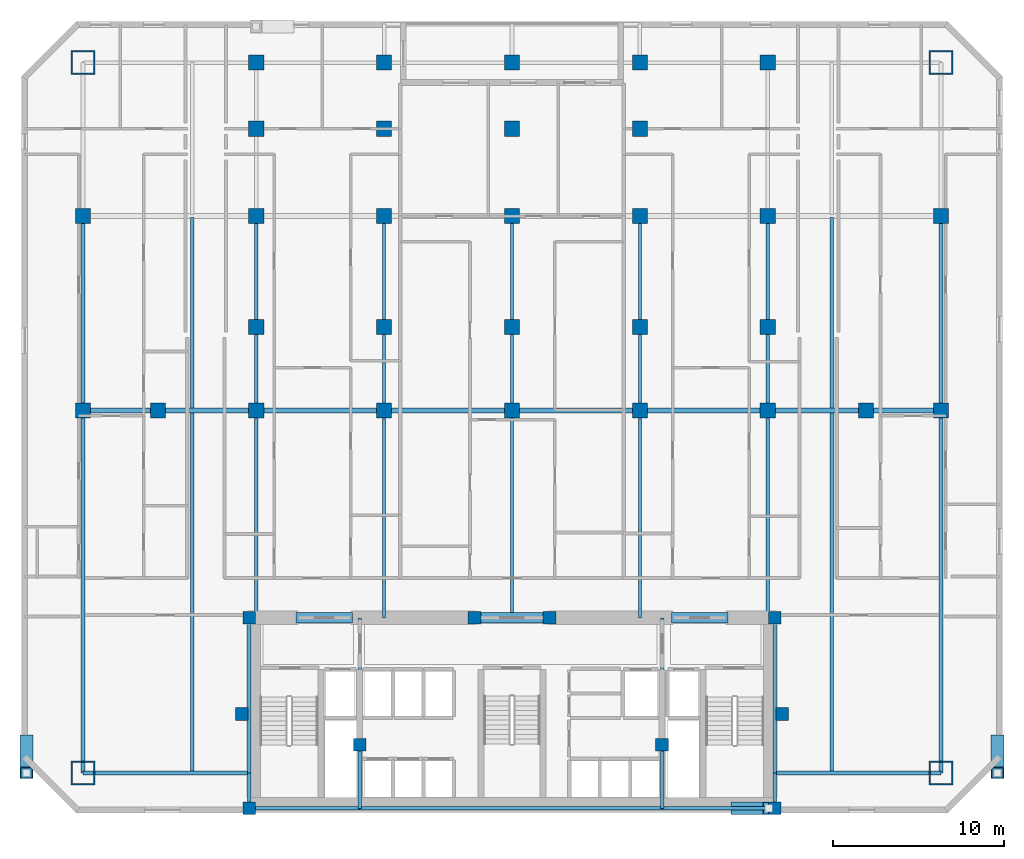
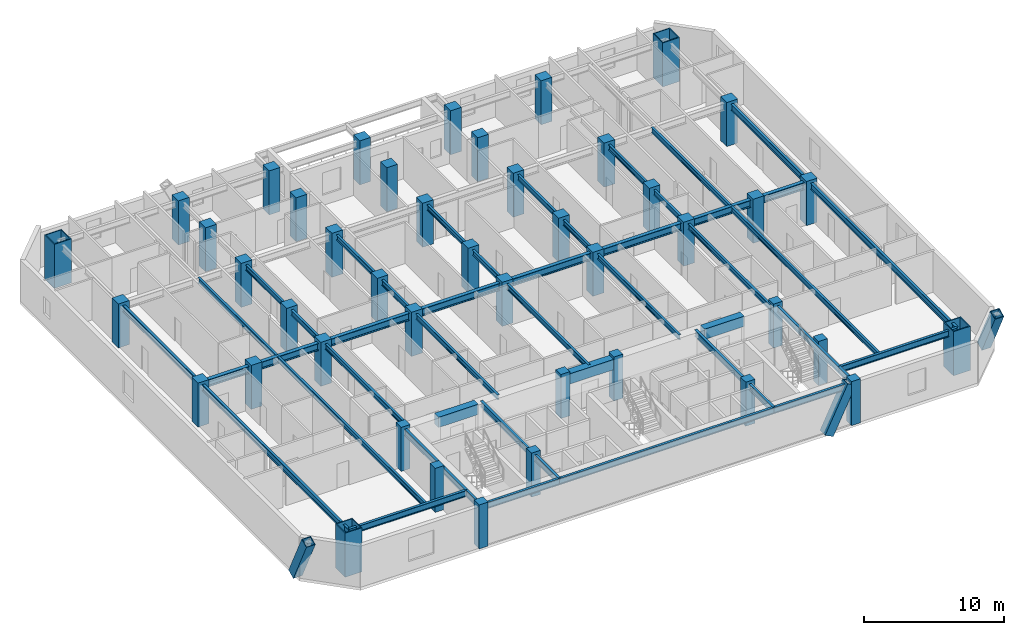
# One storey, part 1 of 10: 44 columns, 42 beams, 3 members.
"""IFC4 building model written with IfcOpenShell, lengths in metres."""

from ifc_helpers import new_model, si_unit, direction, frame, origin, origin_2d, place, context, subcontext, project, spatial, rectangle, hollow_rectangle, i_section, extrude, material, material_profile, profile_set, type_object, element, save


model = new_model("IFC4")

# Units and contexts
model_context = context("Model", 3, precision=1e-05, world=origin(), true_north=direction((0.0, 1.0)))
body_context = subcontext(model_context, "Body", "Model", "MODEL_VIEW")
ifc_project = project(units=[si_unit("LENGTHUNIT", "METRE"), si_unit("AREAUNIT", "SQUARE_METRE"), si_unit("VOLUMEUNIT", "CUBIC_METRE"), si_unit("PLANEANGLEUNIT", "RADIAN"), si_unit("MASSUNIT", "GRAM", prefix="KILO")], contexts=[model_context])

# Site, building, storey
site_placement = place(None, origin())
site = spatial("IfcSite", under=ifc_project, at=site_placement, CompositionType="ELEMENT")
building_placement = place(site_placement, origin())
building = spatial("IfcBuilding", under=site, at=building_placement, Name="Ventersveld Concourse Tower", CompositionType="ELEMENT")
storey_placement = place(building_placement, frame((0.0, 0.0, 56.75)))
storey = spatial("IfcBuildingStorey", under=building, at=storey_placement, Name="L13", CompositionType="ELEMENT", Elevation=56.75)

# Columns
ifc_material_1 = material(Name="Concrete C50/60", Category="concrete")
ifc_material_profile_1 = material_profile(ifc_material_1, rectangle(XDim=0.75, YDim=0.75, at=origin_2d()), Name="RC 750x750")
ifc_profile_set_1 = profile_set([ifc_material_profile_1], Name="Concrete C50/60")
column_type_1 = type_object("IfcColumnType", Name="COL-RC750", PredefinedType="COLUMN", material=ifc_profile_set_1)
for number, where, z_axis, x_axis, name in (
    (1, (13.35009765625, 0.280029296875, 0.0), (0.0, 0.0, 1.0), (1.0, 0.0, 0.0), "L13 Core Spine Column CC-SW"),
    (2, (44.14990234375, 0.280029296875, 0.0), (0.0, 0.0, 1.0), (1.0, 0.0, 0.0), "L13 Core Spine Column CC-SE"),
    (3, (13.35009765625, 11.449951171875, 0.0), (0.0, 0.0, 1.0), (1.0, 0.0, 0.0), "L13 Core Spine Column CC-NW"),
    (4, (44.14990234375, 11.449951171875, 0.0), (0.0, 0.0, 1.0), (1.0, 0.0, 0.0), "L13 Core Spine Column CC-NE"),
    (5, (19.820068359375, 4.0, 0.0), (0.0, 0.0, 1.0), (1.0, 0.0, 0.0), "L13 Core Spine Column CM-1"),
    (6, (37.550048828125, 4.0, 0.0), (0.0, 0.0, 1.0), (1.0, 0.0, 0.0), "L13 Core Spine Column CM-2"),
    (7, (26.550048828125, 11.449951171875, 0.0), (0.0, 0.0, 1.0), (1.0, 0.0, 0.0), "L13 Core Spine Column CM-3"),
    (8, (30.949951171875, 11.449951171875, 0.0), (0.0, 0.0, 1.0), (1.0, 0.0, 0.0), "L13 Core Spine Column CM-4"),
):
    element("IfcColumn", number, at=place(storey_placement, frame(where, z_axis=z_axis, x_axis=x_axis)), inside=storey, type_object=column_type_1, Name=name, PredefinedType="COLUMN", context=body_context, shape_type="SweptSolid", body=[
        extrude(rectangle(XDim=0.75, YDim=0.75, at=origin_2d()), origin(), (0.0, 0.0, 1.0), 3.85009765625),
    ])
ifc_material_2 = material(Name="Concrete C60/75", Category="concrete")
ifc_material_profile_2 = material_profile(ifc_material_2, rectangle(XDim=0.89990234375, YDim=0.89990234375, at=origin_2d()), Name="RC 900x900")
ifc_profile_set_2 = profile_set([ifc_material_profile_2], Name="Concrete C60/75")
column_type_2 = type_object("IfcColumnType", Name="COL-RC900", PredefinedType="COLUMN", material=ifc_profile_set_2)
for number, where, z_axis, x_axis, name in (
    (9, (3.60009765625, 23.60009765625, 0.0), (0.0, 0.0, 1.0), (1.0, 0.0, 0.0), "L13 Interior Gravity Column X=3.60 Y=23.60"),
    (10, (8.0, 23.60009765625, 0.0), (0.0, 0.0, 1.0), (1.0, 0.0, 0.0), "L13 Interior Gravity Column X=8.00 Y=23.60"),
    (11, (13.75, 23.60009765625, 0.0), (0.0, 0.0, 1.0), (1.0, 0.0, 0.0), "L13 Interior Gravity Column X=13.75 Y=23.60"),
    (12, (21.25, 23.60009765625, 0.0), (0.0, 0.0, 1.0), (1.0, 0.0, 0.0), "L13 Interior Gravity Column X=21.25 Y=23.60"),
    (13, (28.75, 23.60009765625, 0.0), (0.0, 0.0, 1.0), (1.0, 0.0, 0.0), "L13 Interior Gravity Column X=28.75 Y=23.60"),
    (14, (36.25, 23.60009765625, 0.0), (0.0, 0.0, 1.0), (1.0, 0.0, 0.0), "L13 Interior Gravity Column X=36.25 Y=23.60"),
    (15, (43.75, 23.60009765625, 0.0), (0.0, 0.0, 1.0), (1.0, 0.0, 0.0), "L13 Interior Gravity Column X=43.75 Y=23.60"),
    (16, (49.5, 23.60009765625, 0.0), (0.0, 0.0, 1.0), (1.0, 0.0, 0.0), "L13 Interior Gravity Column X=49.50 Y=23.60"),
    (17, (53.89990234375, 23.60009765625, 0.0), (0.0, 0.0, 1.0), (1.0, 0.0, 0.0), "L13 Interior Gravity Column X=53.90 Y=23.60"),
    (18, (13.75, 28.5, 0.0), (0.0, 0.0, 1.0), (1.0, 0.0, 0.0), "L13 Upper-North Gravity Column X=13.75 Y=28.50"),
    (19, (21.25, 28.5, 0.0), (0.0, 0.0, 1.0), (1.0, 0.0, 0.0), "L13 Upper-North Gravity Column X=21.25 Y=28.50"),
    (20, (28.75, 28.5, 0.0), (0.0, 0.0, 1.0), (1.0, 0.0, 0.0), "L13 Upper-North Gravity Column X=28.75 Y=28.50"),
    (21, (36.25, 28.5, 0.0), (0.0, 0.0, 1.0), (1.0, 0.0, 0.0), "L13 Upper-North Gravity Column X=36.25 Y=28.50"),
    (22, (43.75, 28.5, 0.0), (0.0, 0.0, 1.0), (1.0, 0.0, 0.0), "L13 Upper-North Gravity Column X=43.75 Y=28.50"),
    (23, (3.60009765625, 35.0, 0.0), (0.0, 0.0, 1.0), (1.0, 0.0, 0.0), "L13 Flank Column X=3.60 Y=35.00"),
    (24, (53.89990234375, 35.0, 0.0), (0.0, 0.0, 1.0), (1.0, 0.0, 0.0), "L13 Flank Column X=53.90 Y=35.00"),
    (25, (13.75, 44.0, 0.0), (0.0, 0.0, 1.0), (1.0, 0.0, 0.0), "L13 North Perimeter Column X=13.75 Y=44.00"),
    (26, (21.25, 44.0, 0.0), (0.0, 0.0, 1.0), (1.0, 0.0, 0.0), "L13 North Perimeter Column X=21.25 Y=44.00"),
    (27, (28.75, 44.0, 0.0), (0.0, 0.0, 1.0), (1.0, 0.0, 0.0), "L13 North Perimeter Column X=28.75 Y=44.00"),
    (28, (36.25, 44.0, 0.0), (0.0, 0.0, 1.0), (1.0, 0.0, 0.0), "L13 North Perimeter Column X=36.25 Y=44.00"),
    (29, (43.75, 44.0, 0.0), (0.0, 0.0, 1.0), (1.0, 0.0, 0.0), "L13 North Perimeter Column X=43.75 Y=44.00"),
    (30, (13.75, 40.1201171875, 0.0), (0.0, 0.0, 1.0), (1.0, 0.0, 0.0), "L13 North Brace Node Column X=13.75 Y=40.12"),
    (31, (21.25, 40.1201171875, 0.0), (0.0, 0.0, 1.0), (1.0, 0.0, 0.0), "L13 North Brace Node Column X=21.25 Y=40.12"),
    (32, (28.75, 40.1201171875, 0.0), (0.0, 0.0, 1.0), (1.0, 0.0, 0.0), "L13 North Brace Node Column X=28.75 Y=40.12"),
    (33, (36.25, 40.1201171875, 0.0), (0.0, 0.0, 1.0), (1.0, 0.0, 0.0), "L13 North Brace Node Column X=36.25 Y=40.12"),
    (34, (13.75, 35.0, 0.0), (0.0, 0.0, 1.0), (1.0, 0.0, 0.0), "L13 Mid-North Column X=13.75 Y=35.00"),
    (35, (21.25, 35.0, 0.0), (0.0, 0.0, 1.0), (1.0, 0.0, 0.0), "L13 Mid-North Column X=21.25 Y=35.00"),
    (36, (28.75, 35.0, 0.0), (0.0, 0.0, 1.0), (1.0, 0.0, 0.0), "L13 Mid-North Column X=28.75 Y=35.00"),
    (37, (36.25, 35.0, 0.0), (0.0, 0.0, 1.0), (1.0, 0.0, 0.0), "L13 Mid-North Column X=36.25 Y=35.00"),
    (38, (43.75, 35.0, 0.0), (0.0, 0.0, 1.0), (1.0, 0.0, 0.0), "L13 Mid-North Column X=43.75 Y=35.00"),
):
    element("IfcColumn", number, at=place(storey_placement, frame(where, z_axis=z_axis, x_axis=x_axis)), inside=storey, type_object=column_type_2, Name=name, PredefinedType="COLUMN", context=body_context, shape_type="SweptSolid", body=[
        extrude(rectangle(XDim=0.89990234375, YDim=0.89990234375, at=origin_2d()), origin(), (0.0, 0.0, 1.0), 3.85009765625),
    ])
ifc_material_3 = material(Name="Structural steel S460ML", Category="steel")
ifc_material_profile_3 = material_profile(ifc_material_3, hollow_rectangle(XDim=1.39990234375, YDim=1.39990234375, WallThickness=0.080078125, at=origin_2d()), Name="BOX 1400x1400x80")
ifc_profile_set_3 = profile_set([ifc_material_profile_3], Name="Structural steel S460ML")
column_type_3 = type_object("IfcColumnType", Name="MC-1400", PredefinedType="USERDEFINED", material=ifc_profile_set_3)
for number, where, z_axis, x_axis, name in (
    (39, (3.60009765625, 2.35009765625, 0.0), (0.0, 0.0, 1.0), (1.0, 0.0, 0.0), "L13 Corner Mega-Column MC-SW"),
    (40, (53.89990234375, 2.35009765625, 0.0), (0.0, 0.0, 1.0), (1.0, 0.0, 0.0), "L13 Corner Mega-Column MC-SE"),
    (41, (53.89990234375, 44.0, 0.0), (0.0, 0.0, 1.0), (1.0, 0.0, 0.0), "L13 Corner Mega-Column MC-NE"),
    (42, (3.60009765625, 44.0, 0.0), (0.0, 0.0, 1.0), (1.0, 0.0, 0.0), "L13 Corner Mega-Column MC-NW"),
):
    element("IfcColumn", number, at=place(storey_placement, frame(where, z_axis=z_axis, x_axis=x_axis)), inside=storey, type_object=column_type_3, Name=name, ObjectType="MEGA_COLUMN", PredefinedType="USERDEFINED", context=body_context, shape_type="SweptSolid", body=[
        extrude(hollow_rectangle(XDim=1.39990234375, YDim=1.39990234375, WallThickness=0.080078125, at=origin_2d()), origin(), (0.0, 0.0, 1.0), 3.85009765625),
    ])
ifc_material_profile_4 = material_profile(ifc_material_1, rectangle(XDim=0.75, YDim=0.75, at=origin_2d()), Name="RC 750x750")
ifc_profile_set_4 = profile_set([ifc_material_profile_4], Name="Concrete C50/60")
column_type_4 = type_object("IfcColumnType", Name="PIL-RC750", PredefinedType="PILASTER", material=ifc_profile_set_4)
for number, where, z_axis, x_axis, name in (
    (43, (12.89990234375, 5.800048828125, 0.0), (0.0, 0.0, 1.0), (1.0, 0.0, 0.0), "L13 Core Engaged Pilaster PIL-W"),
    (44, (44.60009765625, 5.800048828125, 0.0), (0.0, 0.0, 1.0), (1.0, 0.0, 0.0), "L13 Core Engaged Pilaster PIL-E"),
):
    element("IfcColumn", number, at=place(storey_placement, frame(where, z_axis=z_axis, x_axis=x_axis)), inside=storey, type_object=column_type_4, Name=name, PredefinedType="PILASTER", context=body_context, shape_type="SweptSolid", body=[
        extrude(rectangle(XDim=0.75, YDim=0.75, at=origin_2d()), origin(), (0.0, 0.0, 1.0), 3.85009765625),
    ])

# Beams
ifc_material_4 = material(Name="Structural steel S355J2", Category="steel")
ifc_material_profile_5 = material_profile(ifc_material_4, i_section(OverallWidth=0.19140625, OverallDepth=0.4599609375, WebThickness=0.010009765625, FlangeThickness=0.01611328125, FilletRadius=0.01025390625, at=origin_2d()), Name="UB 457x191x82")
ifc_profile_set_5 = profile_set([ifc_material_profile_5], Name="Structural steel S355J2")
beam_type_1 = type_object("IfcBeamType", Name="BM-UB457H", PredefinedType="BEAM", material=ifc_profile_set_5)
beam_1_placement = place(storey_placement, frame((10.0, 2.35009765625, 3.3701171875), z_axis=(0.0, 1.0, 0.0), x_axis=(-1.0, 0.0, 0.0)))
element("IfcBeam", 45, at=beam_1_placement, inside=storey, type_object=beam_type_1, Name="L13 N-S Composite Floor Beam South X=10.00", PredefinedType="BEAM", context=body_context, shape_type="SweptSolid", body=[
    extrude(i_section(OverallWidth=0.19140625, OverallDepth=0.4599609375, WebThickness=0.010009765625, FlangeThickness=0.01611328125, FilletRadius=0.01025390625, at=origin_2d()), origin(), (0.0, 0.0, 1.0), 21.15478515625),
])
beam_2_placement = place(storey_placement, frame((10.0, 23.695068359375, 3.3701171875), z_axis=(0.0, 1.0, 0.0), x_axis=(-1.0, 0.0, 0.0)))
element("IfcBeam", 46, at=beam_2_placement, inside=storey, type_object=beam_type_1, Name="L13 N-S Composite Floor Beam Mid X=10.00", PredefinedType="BEAM", context=body_context, shape_type="SweptSolid", body=[
    extrude(i_section(OverallWidth=0.19140625, OverallDepth=0.4599609375, WebThickness=0.010009765625, FlangeThickness=0.01611328125, FilletRadius=0.01025390625, at=origin_2d()), origin(), (0.0, 0.0, 1.0), 11.2099609375),
])
beam_3_placement = place(storey_placement, frame((13.75, 11.449951171875, 3.3701171875), z_axis=(0.0, 1.0, 0.0), x_axis=(-1.0, 0.0, 0.0)))
element("IfcBeam", 47, at=beam_3_placement, inside=storey, type_object=beam_type_1, Name="L13 N-S Composite Floor Beam South X=13.75", PredefinedType="BEAM", context=body_context, shape_type="SweptSolid", body=[
    extrude(i_section(OverallWidth=0.19140625, OverallDepth=0.4599609375, WebThickness=0.010009765625, FlangeThickness=0.01611328125, FilletRadius=0.01025390625, at=origin_2d()), origin(), (0.0, 0.0, 1.0), 12.150146484375),
])
beam_4_placement = place(storey_placement, frame((13.75, 23.60009765625, 3.3701171875), z_axis=(0.0, 1.0, 0.0), x_axis=(-1.0, 0.0, 0.0)))
element("IfcBeam", 48, at=beam_4_placement, inside=storey, type_object=beam_type_1, Name="L13 N-S Composite Floor Beam Mid X=13.75", PredefinedType="BEAM", context=body_context, shape_type="SweptSolid", body=[
    extrude(i_section(OverallWidth=0.19140625, OverallDepth=0.4599609375, WebThickness=0.010009765625, FlangeThickness=0.01611328125, FilletRadius=0.01025390625, at=origin_2d()), origin(), (0.0, 0.0, 1.0), 11.39990234375),
])
beam_5_placement = place(storey_placement, frame((21.25, 11.449951171875, 3.3701171875), z_axis=(0.0, 1.0, 0.0), x_axis=(-1.0, 0.0, 0.0)))
element("IfcBeam", 49, at=beam_5_placement, inside=storey, type_object=beam_type_1, Name="L13 N-S Composite Floor Beam South X=21.25", PredefinedType="BEAM", context=body_context, shape_type="SweptSolid", body=[
    extrude(i_section(OverallWidth=0.19140625, OverallDepth=0.4599609375, WebThickness=0.010009765625, FlangeThickness=0.01611328125, FilletRadius=0.01025390625, at=origin_2d()), origin(), (0.0, 0.0, 1.0), 12.150146484375),
])
beam_6_placement = place(storey_placement, frame((21.25, 23.60009765625, 3.3701171875), z_axis=(0.0, 1.0, 0.0), x_axis=(-1.0, 0.0, 0.0)))
element("IfcBeam", 50, at=beam_6_placement, inside=storey, type_object=beam_type_1, Name="L13 N-S Composite Floor Beam Mid X=21.25", PredefinedType="BEAM", context=body_context, shape_type="SweptSolid", body=[
    extrude(i_section(OverallWidth=0.19140625, OverallDepth=0.4599609375, WebThickness=0.010009765625, FlangeThickness=0.01611328125, FilletRadius=0.01025390625, at=origin_2d()), origin(), (0.0, 0.0, 1.0), 11.39990234375),
])
beam_7_placement = place(storey_placement, frame((28.75, 11.449951171875, 3.3701171875), z_axis=(0.0, 1.0, 0.0), x_axis=(-1.0, 0.0, 0.0)))
element("IfcBeam", 51, at=beam_7_placement, inside=storey, type_object=beam_type_1, Name="L13 N-S Composite Floor Beam South X=28.75", PredefinedType="BEAM", context=body_context, shape_type="SweptSolid", body=[
    extrude(i_section(OverallWidth=0.19140625, OverallDepth=0.4599609375, WebThickness=0.010009765625, FlangeThickness=0.01611328125, FilletRadius=0.01025390625, at=origin_2d()), origin(), (0.0, 0.0, 1.0), 12.150146484375),
])
beam_8_placement = place(storey_placement, frame((28.75, 23.60009765625, 3.3701171875), z_axis=(0.0, 1.0, 0.0), x_axis=(-1.0, 0.0, 0.0)))
element("IfcBeam", 52, at=beam_8_placement, inside=storey, type_object=beam_type_1, Name="L13 N-S Composite Floor Beam Mid X=28.75", PredefinedType="BEAM", context=body_context, shape_type="SweptSolid", body=[
    extrude(i_section(OverallWidth=0.19140625, OverallDepth=0.4599609375, WebThickness=0.010009765625, FlangeThickness=0.01611328125, FilletRadius=0.01025390625, at=origin_2d()), origin(), (0.0, 0.0, 1.0), 11.39990234375),
])
beam_9_placement = place(storey_placement, frame((36.25, 11.449951171875, 3.3701171875), z_axis=(0.0, 1.0, 0.0), x_axis=(-1.0, 0.0, 0.0)))
element("IfcBeam", 53, at=beam_9_placement, inside=storey, type_object=beam_type_1, Name="L13 N-S Composite Floor Beam South X=36.25", PredefinedType="BEAM", context=body_context, shape_type="SweptSolid", body=[
    extrude(i_section(OverallWidth=0.19140625, OverallDepth=0.4599609375, WebThickness=0.010009765625, FlangeThickness=0.01611328125, FilletRadius=0.01025390625, at=origin_2d()), origin(), (0.0, 0.0, 1.0), 12.150146484375),
])
beam_10_placement = place(storey_placement, frame((36.25, 23.60009765625, 3.3701171875), z_axis=(0.0, 1.0, 0.0), x_axis=(-1.0, 0.0, 0.0)))
element("IfcBeam", 54, at=beam_10_placement, inside=storey, type_object=beam_type_1, Name="L13 N-S Composite Floor Beam Mid X=36.25", PredefinedType="BEAM", context=body_context, shape_type="SweptSolid", body=[
    extrude(i_section(OverallWidth=0.19140625, OverallDepth=0.4599609375, WebThickness=0.010009765625, FlangeThickness=0.01611328125, FilletRadius=0.01025390625, at=origin_2d()), origin(), (0.0, 0.0, 1.0), 11.39990234375),
])
beam_11_placement = place(storey_placement, frame((43.75, 11.449951171875, 3.3701171875), z_axis=(0.0, 1.0, 0.0), x_axis=(-1.0, 0.0, 0.0)))
element("IfcBeam", 55, at=beam_11_placement, inside=storey, type_object=beam_type_1, Name="L13 N-S Composite Floor Beam South X=43.75", PredefinedType="BEAM", context=body_context, shape_type="SweptSolid", body=[
    extrude(i_section(OverallWidth=0.19140625, OverallDepth=0.4599609375, WebThickness=0.010009765625, FlangeThickness=0.01611328125, FilletRadius=0.01025390625, at=origin_2d()), origin(), (0.0, 0.0, 1.0), 12.150146484375),
])
beam_12_placement = place(storey_placement, frame((43.75, 23.60009765625, 3.3701171875), z_axis=(0.0, 1.0, 0.0), x_axis=(-1.0, 0.0, 0.0)))
element("IfcBeam", 56, at=beam_12_placement, inside=storey, type_object=beam_type_1, Name="L13 N-S Composite Floor Beam Mid X=43.75", PredefinedType="BEAM", context=body_context, shape_type="SweptSolid", body=[
    extrude(i_section(OverallWidth=0.19140625, OverallDepth=0.4599609375, WebThickness=0.010009765625, FlangeThickness=0.01611328125, FilletRadius=0.01025390625, at=origin_2d()), origin(), (0.0, 0.0, 1.0), 11.39990234375),
])
beam_13_placement = place(storey_placement, frame((47.5, 2.35009765625, 3.3701171875), z_axis=(0.0, 1.0, 0.0), x_axis=(-1.0, 0.0, 0.0)))
element("IfcBeam", 57, at=beam_13_placement, inside=storey, type_object=beam_type_1, Name="L13 N-S Composite Floor Beam South X=47.50", PredefinedType="BEAM", context=body_context, shape_type="SweptSolid", body=[
    extrude(i_section(OverallWidth=0.19140625, OverallDepth=0.4599609375, WebThickness=0.010009765625, FlangeThickness=0.01611328125, FilletRadius=0.01025390625, at=origin_2d()), origin(), (0.0, 0.0, 1.0), 21.15478515625),
])
beam_14_placement = place(storey_placement, frame((47.5, 23.695068359375, 3.3701171875), z_axis=(0.0, 1.0, 0.0), x_axis=(-1.0, 0.0, 0.0)))
element("IfcBeam", 58, at=beam_14_placement, inside=storey, type_object=beam_type_1, Name="L13 N-S Composite Floor Beam Mid X=47.50", PredefinedType="BEAM", context=body_context, shape_type="SweptSolid", body=[
    extrude(i_section(OverallWidth=0.19140625, OverallDepth=0.4599609375, WebThickness=0.010009765625, FlangeThickness=0.01611328125, FilletRadius=0.01025390625, at=origin_2d()), origin(), (0.0, 0.0, 1.0), 11.2099609375),
])
ifc_material_profile_6 = material_profile(ifc_material_2, rectangle(XDim=0.60009765625, YDim=0.89990234375, at=origin_2d()), Name="RC 600x900")
ifc_profile_set_6 = profile_set([ifc_material_profile_6], Name="Concrete C60/75")
beam_type_2 = type_object("IfcBeamType", Name="CB-RC600x900L", PredefinedType="LINTEL", material=ifc_profile_set_6)
beam_15_placement = place(storey_placement, frame((16.10009765625, 11.449951171875, 3.14990234375), z_axis=(1.0, 0.0, 0.0), x_axis=(0.0, 1.0, 0.0)))
element("IfcBeam", 59, at=beam_15_placement, inside=storey, type_object=beam_type_2, Name="L13 Core Coupling Lintel Beam 1", PredefinedType="LINTEL", context=body_context, shape_type="SweptSolid", body=[
    extrude(rectangle(XDim=0.60009765625, YDim=0.89990234375, at=origin_2d()), origin(), (0.0, 0.0, 1.0), 3.2998046875),
])
beam_16_placement = place(storey_placement, frame((26.5, 11.449951171875, 3.14990234375), z_axis=(1.0, 0.0, 0.0), x_axis=(0.0, 1.0, 0.0)))
element("IfcBeam", 60, at=beam_16_placement, inside=storey, type_object=beam_type_2, Name="L13 Core Coupling Lintel Beam 2", PredefinedType="LINTEL", context=body_context, shape_type="SweptSolid", body=[
    extrude(rectangle(XDim=0.60009765625, YDim=0.89990234375, at=origin_2d()), origin(), (0.0, 0.0, 1.0), 4.5),
])
beam_17_placement = place(storey_placement, frame((38.10009765625, 11.449951171875, 3.14990234375), z_axis=(1.0, 0.0, 0.0), x_axis=(0.0, 1.0, 0.0)))
element("IfcBeam", 61, at=beam_17_placement, inside=storey, type_object=beam_type_2, Name="L13 Core Coupling Lintel Beam 3", PredefinedType="LINTEL", context=body_context, shape_type="SweptSolid", body=[
    extrude(rectangle(XDim=0.60009765625, YDim=0.89990234375, at=origin_2d()), origin(), (0.0, 0.0, 1.0), 3.2998046875),
])
ifc_material_profile_7 = material_profile(ifc_material_4, i_section(OverallWidth=0.2119140625, OverallDepth=0.54443359375, WebThickness=0.0126953125, FlangeThickness=0.021240234375, FilletRadius=0.0126953125, at=origin_2d()), Name="UB 533x210x122")
ifc_profile_set_7 = profile_set([ifc_material_profile_7], Name="Structural steel S355J2")
beam_type_3 = type_object("IfcBeamType", Name="GRD-UB533H", PredefinedType="T_BEAM", material=ifc_profile_set_7)
beam_18_placement = place(storey_placement, frame((13.35009765625, 0.280029296875, 3.327880859375), z_axis=(0.0, 1.0, 0.0), x_axis=(-1.0, 0.0, 0.0)))
element("IfcBeam", 62, at=beam_18_placement, inside=storey, type_object=beam_type_3, Name="L13 Core West Tie Beam S", PredefinedType="T_BEAM", context=body_context, shape_type="SweptSolid", body=[
    extrude(i_section(OverallWidth=0.2119140625, OverallDepth=0.54443359375, WebThickness=0.0126953125, FlangeThickness=0.021240234375, FilletRadius=0.0126953125, at=origin_2d()), origin(), (0.0, 0.0, 1.0), 2.070068359375),
])
beam_19_placement = place(storey_placement, frame((13.35009765625, 2.35009765625, 3.327880859375), z_axis=(0.0, 1.0, 0.0), x_axis=(-1.0, 0.0, 0.0)))
element("IfcBeam", 63, at=beam_19_placement, inside=storey, type_object=beam_type_3, Name="L13 Core West Tie Beam N", PredefinedType="T_BEAM", context=body_context, shape_type="SweptSolid", body=[
    extrude(i_section(OverallWidth=0.2119140625, OverallDepth=0.54443359375, WebThickness=0.0126953125, FlangeThickness=0.021240234375, FilletRadius=0.0126953125, at=origin_2d()), origin(), (0.0, 0.0, 1.0), 9.099853515625),
])
beam_20_placement = place(storey_placement, frame((44.14990234375, 0.280029296875, 3.327880859375), z_axis=(0.0, 1.0, 0.0), x_axis=(-1.0, 0.0, 0.0)))
element("IfcBeam", 64, at=beam_20_placement, inside=storey, type_object=beam_type_3, Name="L13 Core East Tie Beam S", PredefinedType="T_BEAM", context=body_context, shape_type="SweptSolid", body=[
    extrude(i_section(OverallWidth=0.2119140625, OverallDepth=0.54443359375, WebThickness=0.0126953125, FlangeThickness=0.021240234375, FilletRadius=0.0126953125, at=origin_2d()), origin(), (0.0, 0.0, 1.0), 2.070068359375),
])
beam_21_placement = place(storey_placement, frame((44.14990234375, 2.35009765625, 3.327880859375), z_axis=(0.0, 1.0, 0.0), x_axis=(-1.0, 0.0, 0.0)))
element("IfcBeam", 65, at=beam_21_placement, inside=storey, type_object=beam_type_3, Name="L13 Core East Tie Beam N", PredefinedType="T_BEAM", context=body_context, shape_type="SweptSolid", body=[
    extrude(i_section(OverallWidth=0.2119140625, OverallDepth=0.54443359375, WebThickness=0.0126953125, FlangeThickness=0.021240234375, FilletRadius=0.0126953125, at=origin_2d()), origin(), (0.0, 0.0, 1.0), 9.099853515625),
])
beam_22_placement = place(storey_placement, frame((13.35009765625, 0.280029296875, 3.327880859375), z_axis=(1.0, 0.0, 0.0), x_axis=(0.0, 1.0, 0.0)))
element("IfcBeam", 66, at=beam_22_placement, inside=storey, type_object=beam_type_3, Name="L13 Core South Tie Beam W", PredefinedType="T_BEAM", context=body_context, shape_type="SweptSolid", body=[
    extrude(i_section(OverallWidth=0.2119140625, OverallDepth=0.54443359375, WebThickness=0.0126953125, FlangeThickness=0.021240234375, FilletRadius=0.0126953125, at=origin_2d()), origin(), (0.0, 0.0, 1.0), 6.469970703125),
])
beam_23_placement = place(storey_placement, frame((19.820068359375, 0.280029296875, 3.327880859375), z_axis=(1.0, 0.0, 0.0), x_axis=(0.0, 1.0, 0.0)))
element("IfcBeam", 67, at=beam_23_placement, inside=storey, type_object=beam_type_3, Name="L13 Core South Tie Beam C", PredefinedType="T_BEAM", context=body_context, shape_type="SweptSolid", body=[
    extrude(i_section(OverallWidth=0.2119140625, OverallDepth=0.54443359375, WebThickness=0.0126953125, FlangeThickness=0.021240234375, FilletRadius=0.0126953125, at=origin_2d()), origin(), (0.0, 0.0, 1.0), 17.72998046875),
])
beam_24_placement = place(storey_placement, frame((37.550048828125, 0.280029296875, 3.327880859375), z_axis=(1.0, 0.0, 0.0), x_axis=(0.0, 1.0, 0.0)))
element("IfcBeam", 68, at=beam_24_placement, inside=storey, type_object=beam_type_3, Name="L13 Core South Tie Beam E", PredefinedType="T_BEAM", context=body_context, shape_type="SweptSolid", body=[
    extrude(i_section(OverallWidth=0.2119140625, OverallDepth=0.54443359375, WebThickness=0.0126953125, FlangeThickness=0.021240234375, FilletRadius=0.0126953125, at=origin_2d()), origin(), (0.0, 0.0, 1.0), 6.599853515625),
])
beam_25_placement = place(storey_placement, frame((19.820068359375, 0.280029296875, 3.327880859375), z_axis=(0.0, 1.0, 0.0), x_axis=(-1.0, 0.0, 0.0)))
element("IfcBeam", 69, at=beam_25_placement, inside=storey, type_object=beam_type_3, Name="L13 Core Spine N-S Tie Beam W1", PredefinedType="T_BEAM", context=body_context, shape_type="SweptSolid", body=[
    extrude(i_section(OverallWidth=0.2119140625, OverallDepth=0.54443359375, WebThickness=0.0126953125, FlangeThickness=0.021240234375, FilletRadius=0.0126953125, at=origin_2d()), origin(), (0.0, 0.0, 1.0), 3.719970703125),
])
beam_26_placement = place(storey_placement, frame((19.820068359375, 4.0, 3.327880859375), z_axis=(0.0, 1.0, 0.0), x_axis=(-1.0, 0.0, 0.0)))
element("IfcBeam", 70, at=beam_26_placement, inside=storey, type_object=beam_type_3, Name="L13 Core Spine N-S Tie Beam W2", PredefinedType="T_BEAM", context=body_context, shape_type="SweptSolid", body=[
    extrude(i_section(OverallWidth=0.2119140625, OverallDepth=0.54443359375, WebThickness=0.0126953125, FlangeThickness=0.021240234375, FilletRadius=0.0126953125, at=origin_2d()), origin(), (0.0, 0.0, 1.0), 7.449951171875),
])
beam_27_placement = place(storey_placement, frame((37.550048828125, 0.280029296875, 3.327880859375), z_axis=(0.0, 1.0, 0.0), x_axis=(-1.0, 0.0, 0.0)))
element("IfcBeam", 71, at=beam_27_placement, inside=storey, type_object=beam_type_3, Name="L13 Core Spine N-S Tie Beam E1", PredefinedType="T_BEAM", context=body_context, shape_type="SweptSolid", body=[
    extrude(i_section(OverallWidth=0.2119140625, OverallDepth=0.54443359375, WebThickness=0.0126953125, FlangeThickness=0.021240234375, FilletRadius=0.0126953125, at=origin_2d()), origin(), (0.0, 0.0, 1.0), 3.719970703125),
])
beam_28_placement = place(storey_placement, frame((37.550048828125, 4.0, 3.327880859375), z_axis=(0.0, 1.0, 0.0), x_axis=(-1.0, 0.0, 0.0)))
element("IfcBeam", 72, at=beam_28_placement, inside=storey, type_object=beam_type_3, Name="L13 Core Spine N-S Tie Beam E2", PredefinedType="T_BEAM", context=body_context, shape_type="SweptSolid", body=[
    extrude(i_section(OverallWidth=0.2119140625, OverallDepth=0.54443359375, WebThickness=0.0126953125, FlangeThickness=0.021240234375, FilletRadius=0.0126953125, at=origin_2d()), origin(), (0.0, 0.0, 1.0), 7.449951171875),
])
ifc_material_profile_8 = material_profile(ifc_material_4, i_section(OverallWidth=0.311279296875, OverallDepth=0.6357421875, WebThickness=0.018310546875, FlangeThickness=0.031494140625, FilletRadius=0.0166015625, at=origin_2d()), Name="UB 610x305x238")
ifc_profile_set_8 = profile_set([ifc_material_profile_8], Name="Structural steel S355J2")
beam_type_4 = type_object("IfcBeamType", Name="GRD-UB610H", PredefinedType="USERDEFINED", material=ifc_profile_set_8)
beam_29_placement = place(storey_placement, frame((3.60009765625, 23.60009765625, 3.281982421875), z_axis=(1.0, 0.0, 0.0), x_axis=(0.0, 1.0, 0.0)))
element("IfcBeam", 73, at=beam_29_placement, inside=storey, type_object=beam_type_4, Name="L13 Primary E-W Grid Girder Y=23.60 #1", ObjectType="GIRDER", PredefinedType="USERDEFINED", context=body_context, shape_type="SweptSolid", body=[
    extrude(i_section(OverallWidth=0.311279296875, OverallDepth=0.6357421875, WebThickness=0.018310546875, FlangeThickness=0.031494140625, FilletRadius=0.0166015625, at=origin_2d()), origin(), (0.0, 0.0, 1.0), 4.39990234375),
])
beam_30_placement = place(storey_placement, frame((8.0, 23.60009765625, 3.281982421875), z_axis=(1.0, 0.0, 0.0), x_axis=(0.0, 1.0, 0.0)))
element("IfcBeam", 74, at=beam_30_placement, inside=storey, type_object=beam_type_4, Name="L13 Primary E-W Grid Girder Y=23.60 #2", ObjectType="GIRDER", PredefinedType="USERDEFINED", context=body_context, shape_type="SweptSolid", body=[
    extrude(i_section(OverallWidth=0.311279296875, OverallDepth=0.6357421875, WebThickness=0.018310546875, FlangeThickness=0.031494140625, FilletRadius=0.0166015625, at=origin_2d()), origin(), (0.0, 0.0, 1.0), 5.75),
])
for number, where, z_axis, x_axis, name in (
    (75, (13.75, 23.60009765625, 3.281982421875), (1.0, 0.0, 0.0), (0.0, 1.0, 0.0), "L13 Primary E-W Grid Girder Y=23.60 #3"),
    (76, (21.25, 23.60009765625, 3.281982421875), (1.0, 0.0, 0.0), (0.0, 1.0, 0.0), "L13 Primary E-W Grid Girder Y=23.60 #4"),
    (77, (28.75, 23.60009765625, 3.281982421875), (1.0, 0.0, 0.0), (0.0, 1.0, 0.0), "L13 Primary E-W Grid Girder Y=23.60 #5"),
    (78, (36.25, 23.60009765625, 3.281982421875), (1.0, 0.0, 0.0), (0.0, 1.0, 0.0), "L13 Primary E-W Grid Girder Y=23.60 #6"),
):
    element("IfcBeam", number, at=place(storey_placement, frame(where, z_axis=z_axis, x_axis=x_axis)), inside=storey, type_object=beam_type_4, Name=name, ObjectType="GIRDER", PredefinedType="USERDEFINED", context=body_context, shape_type="SweptSolid", body=[
        extrude(i_section(OverallWidth=0.311279296875, OverallDepth=0.6357421875, WebThickness=0.018310546875, FlangeThickness=0.031494140625, FilletRadius=0.0166015625, at=origin_2d()), origin(), (0.0, 0.0, 1.0), 7.5),
    ])
beam_31_placement = place(storey_placement, frame((43.75, 23.60009765625, 3.281982421875), z_axis=(1.0, 0.0, 0.0), x_axis=(0.0, 1.0, 0.0)))
element("IfcBeam", 79, at=beam_31_placement, inside=storey, type_object=beam_type_4, Name="L13 Primary E-W Grid Girder Y=23.60 #7", ObjectType="GIRDER", PredefinedType="USERDEFINED", context=body_context, shape_type="SweptSolid", body=[
    extrude(i_section(OverallWidth=0.311279296875, OverallDepth=0.6357421875, WebThickness=0.018310546875, FlangeThickness=0.031494140625, FilletRadius=0.0166015625, at=origin_2d()), origin(), (0.0, 0.0, 1.0), 5.75),
])
beam_32_placement = place(storey_placement, frame((49.5, 23.60009765625, 3.281982421875), z_axis=(1.0, 0.0, 0.0), x_axis=(0.0, 1.0, 0.0)))
element("IfcBeam", 80, at=beam_32_placement, inside=storey, type_object=beam_type_4, Name="L13 Primary E-W Grid Girder Y=23.60 #8", ObjectType="GIRDER", PredefinedType="USERDEFINED", context=body_context, shape_type="SweptSolid", body=[
    extrude(i_section(OverallWidth=0.311279296875, OverallDepth=0.6357421875, WebThickness=0.018310546875, FlangeThickness=0.031494140625, FilletRadius=0.0166015625, at=origin_2d()), origin(), (0.0, 0.0, 1.0), 4.39990234375),
])

# Members
ifc_material_5 = material(Name="Structural steel S355ML", Category="steel")
ifc_material_profile_9 = material_profile(ifc_material_5, hollow_rectangle(XDim=0.75, YDim=0.75, WallThickness=0.044921875, at=origin_2d()), Name="BOX 750x750x45")
ifc_profile_set_9 = profile_set([ifc_material_profile_9], Name="Structural steel S355ML")
member_type = type_object("IfcMemberType", Name="MB-750x750", PredefinedType="BRACE", material=ifc_profile_set_9)
for number, where, z_axis, x_axis, name in (
    (81, (41.925048828125, 0.280029296875, -0.25), (0.437839464193, 0.0, 0.899053170616), (0.0, 1.0, 0.0), "L13 Exterior Mega-Brace S (Module M02)"),
    (82, (0.280029296875, 4.22509765625, -0.25), (0.0, -0.437839464193, 0.899053170616), (1.0, 0.0, 0.0), "L13 Exterior Mega-Brace W (Module M02)"),
    (83, (57.219970703125, 4.22509765625, -0.25), (0.0, -0.437839464193, 0.899053170616), (1.0, 0.0, 0.0), "L13 Exterior Mega-Brace E (Module M02)"),
):
    element("IfcMember", number, at=place(storey_placement, frame(where, z_axis=z_axis, x_axis=x_axis)), inside=storey, type_object=member_type, Name=name, PredefinedType="BRACE", context=body_context, shape_type="SweptSolid", body=[
        extrude(hollow_rectangle(XDim=0.75, YDim=0.75, WallThickness=0.044921875, at=origin_2d()), origin(), (0.0, 0.0, 1.0), 4.282470703125),
    ])

# Beams
ifc_material_profile_10 = material_profile(ifc_material_4, i_section(OverallWidth=0.2119140625, OverallDepth=0.54443359375, WebThickness=0.0126953125, FlangeThickness=0.021240234375, FilletRadius=0.0126953125, at=origin_2d()), Name="UB 533x210x122")
ifc_profile_set_10 = profile_set([ifc_material_profile_10], Name="Structural steel S355J2")
beam_type_5 = type_object("IfcBeamType", Name="SPD-UB533", PredefinedType="SPANDREL", material=ifc_profile_set_10)
for number, where, z_axis, x_axis, name in (
    (84, (3.60009765625, 2.35009765625, 3.327880859375), (1.0, 0.0, 0.0), (0.0, 1.0, 0.0), "L13 SW Spandrel Beam"),
    (85, (44.14990234375, 2.35009765625, 3.327880859375), (1.0, 0.0, 0.0), (0.0, 1.0, 0.0), "L13 SE Spandrel Beam"),
):
    element("IfcBeam", number, at=place(storey_placement, frame(where, z_axis=z_axis, x_axis=x_axis)), inside=storey, type_object=beam_type_5, Name=name, PredefinedType="SPANDREL", context=body_context, shape_type="SweptSolid", body=[
        extrude(i_section(OverallWidth=0.2119140625, OverallDepth=0.54443359375, WebThickness=0.0126953125, FlangeThickness=0.021240234375, FilletRadius=0.0126953125, at=origin_2d()), origin(), (0.0, 0.0, 1.0), 9.75),
    ])
beam_33_placement = place(storey_placement, frame((3.60009765625, 2.35009765625, 3.327880859375), z_axis=(0.0, 1.0, 0.0), x_axis=(-1.0, 0.0, 0.0)))
element("IfcBeam", 86, at=beam_33_placement, inside=storey, type_object=beam_type_5, Name="L13 West Spandrel Beam S", PredefinedType="SPANDREL", context=body_context, shape_type="SweptSolid", body=[
    extrude(i_section(OverallWidth=0.2119140625, OverallDepth=0.54443359375, WebThickness=0.0126953125, FlangeThickness=0.021240234375, FilletRadius=0.0126953125, at=origin_2d()), origin(), (0.0, 0.0, 1.0), 21.25),
])
beam_34_placement = place(storey_placement, frame((3.60009765625, 23.60009765625, 3.327880859375), z_axis=(0.0, 1.0, 0.0), x_axis=(-1.0, 0.0, 0.0)))
element("IfcBeam", 87, at=beam_34_placement, inside=storey, type_object=beam_type_5, Name="L13 West Spandrel Beam M", PredefinedType="SPANDREL", context=body_context, shape_type="SweptSolid", body=[
    extrude(i_section(OverallWidth=0.2119140625, OverallDepth=0.54443359375, WebThickness=0.0126953125, FlangeThickness=0.021240234375, FilletRadius=0.0126953125, at=origin_2d()), origin(), (0.0, 0.0, 1.0), 11.39990234375),
])
beam_35_placement = place(storey_placement, frame((53.89990234375, 2.35009765625, 3.327880859375), z_axis=(0.0, 1.0, 0.0), x_axis=(-1.0, 0.0, 0.0)))
element("IfcBeam", 88, at=beam_35_placement, inside=storey, type_object=beam_type_5, Name="L13 East Spandrel Beam S", PredefinedType="SPANDREL", context=body_context, shape_type="SweptSolid", body=[
    extrude(i_section(OverallWidth=0.2119140625, OverallDepth=0.54443359375, WebThickness=0.0126953125, FlangeThickness=0.021240234375, FilletRadius=0.0126953125, at=origin_2d()), origin(), (0.0, 0.0, 1.0), 21.25),
])
beam_36_placement = place(storey_placement, frame((53.89990234375, 23.60009765625, 3.327880859375), z_axis=(0.0, 1.0, 0.0), x_axis=(-1.0, 0.0, 0.0)))
element("IfcBeam", 89, at=beam_36_placement, inside=storey, type_object=beam_type_5, Name="L13 East Spandrel Beam M", PredefinedType="SPANDREL", context=body_context, shape_type="SweptSolid", body=[
    extrude(i_section(OverallWidth=0.2119140625, OverallDepth=0.54443359375, WebThickness=0.0126953125, FlangeThickness=0.021240234375, FilletRadius=0.0126953125, at=origin_2d()), origin(), (0.0, 0.0, 1.0), 11.39990234375),
])

save(model, "model.ifc")
